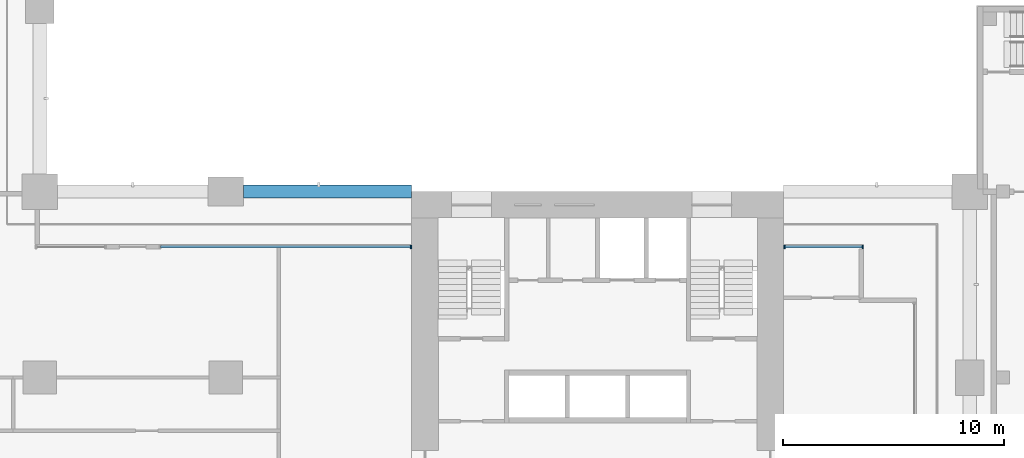
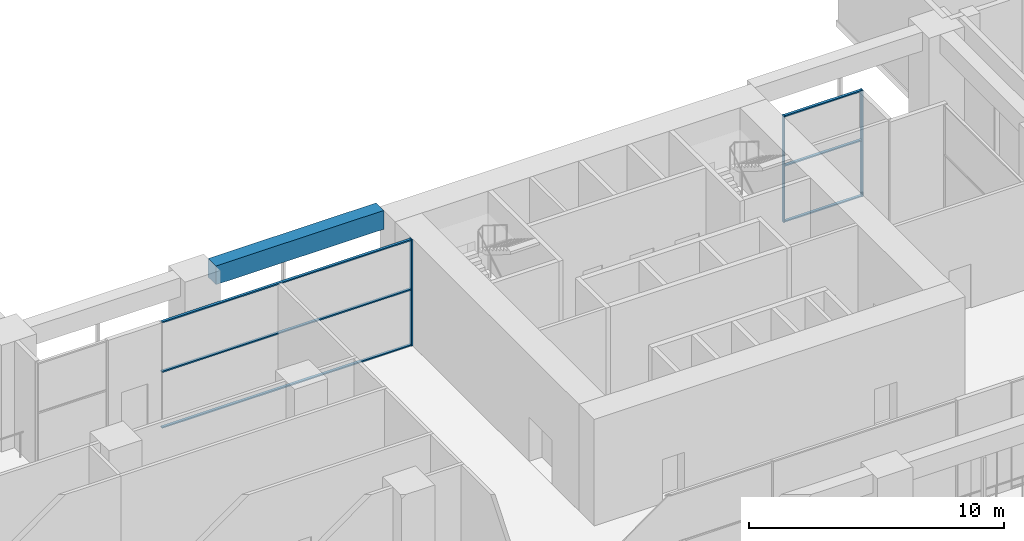
# One storey, part 8 of 33: 9 members, 1 beam, 2 elements without a shape of their own.
"""IFC4 building model written with IfcOpenShell, lengths in metres."""

import ifcopenshell
import ifcopenshell.guid

model = None  # the IFC model being written
_history = None  # IfcOwnerHistory: only IFC2X3 demands one
_inside = {}  # id of a spatial element -> (the spatial element, [elements in it])
_under = {}  # id of a project, library or spatial element -> (it, [spatial elements below it])
_declared = {}  # id of a project -> (the project, [libraries it declares])
_typed = {}  # id of a type object -> (the type object, [elements of that type])
_made_of = {}  # id of a material, layer set ... -> (it, [elements and type objects made of it])


def new_model(schema):
    """Start an empty IFC model of exactly this schema.

    Asked for "IFC4X3", IfcOpenShell would pick the latest addendum, in which some entities
    have other attributes; the version numbers below select the first issue.
    IFC2X3 requires an IfcOwnerHistory on every rooted entity: one is made here for all.
    """
    global model, _history
    if schema == "IFC4X3":
        model = ifcopenshell.file(schema_version=(4, 3, 0, 0))
    else:
        model = ifcopenshell.file(schema=schema)
    _inside.clear()
    _under.clear()
    _declared.clear()
    _typed.clear()
    _made_of.clear()
    _history = None
    if model.schema == "IFC2X3":
        org = make("IfcOrganization", Name="unknown")
        user = make(
            "IfcPersonAndOrganization",
            ThePerson=make("IfcPerson", FamilyName="unknown"),
            TheOrganization=org,
        )
        app = make(
            "IfcApplication",
            ApplicationDeveloper=org,
            Version="unknown",
            ApplicationFullName="unknown",
            ApplicationIdentifier="unknown",
        )
        _history = make(
            "IfcOwnerHistory",
            OwningUser=user,
            OwningApplication=app,
            ChangeAction="ADDED",
            CreationDate=0,
        )
    return model


def make(cls, **values):
    """One entity of the class cls with the attributes given. An attribute that is None is left unset."""
    return model.create_entity(
        cls, **{name: value for name, value in values.items() if value is not None}
    )


def rooted(cls, **values):
    """An entity with a GlobalId (a new one), such as an element, a storey or a relation."""
    return make(cls, GlobalId=ifcopenshell.guid.new(), OwnerHistory=_history, **values)


def si_unit(unit_type, name, prefix=None):
    """IfcSIUnit, for example si_unit("LENGTHUNIT", "METRE", prefix="MILLI")."""
    return make("IfcSIUnit", UnitType=unit_type, Prefix=prefix, Name=name)


def assignment(units):
    """IfcUnitAssignment: the units of a project."""
    return None if units is None else make("IfcUnitAssignment", Units=units)


def point(xyz):
    """IfcCartesianPoint."""
    return None if xyz is None else make("IfcCartesianPoint", Coordinates=xyz)


def direction(xyz):
    """IfcDirection."""
    return None if xyz is None else make("IfcDirection", DirectionRatios=xyz)


def frame(location, z_axis=None, x_axis=None):
    """IfcAxis2Placement3D, a coordinate frame: its origin and axes. An axis left out is left unset."""
    return make(
        "IfcAxis2Placement3D",
        Location=point(location),
        Axis=direction(z_axis),
        RefDirection=direction(x_axis),
    )


def frame_2d(location, x_axis=None):
    """IfcAxis2Placement2D, a coordinate frame in the plane: its origin and x axis."""
    return make(
        "IfcAxis2Placement2D", Location=point(location), RefDirection=direction(x_axis)
    )


def origin():
    """The frame at (0, 0, 0) with its axes left unset."""
    return frame((0.0, 0.0, 0.0))


def origin_2d():
    """The frame at (0, 0) in the plane with its x axis left unset."""
    return frame_2d((0.0, 0.0))


def place(relative_to, where):
    """IfcLocalPlacement: puts the frame where relative to a parent placement (None: the world)."""
    return make(
        "IfcLocalPlacement", PlacementRelTo=relative_to, RelativePlacement=where
    )


def context(
    kind, dimensions, precision=None, world=None, true_north=None, identifier=None
):
    """IfcGeometricRepresentationContext, for example the 3D "Model" context."""
    return make(
        "IfcGeometricRepresentationContext",
        ContextIdentifier=identifier,
        ContextType=kind,
        CoordinateSpaceDimension=dimensions,
        Precision=precision,
        WorldCoordinateSystem=world,
        TrueNorth=true_north,
    )


def subcontext(parent, identifier, kind, view, scale=None):
    """IfcGeometricRepresentationSubContext, for example "Body" below "Model"."""
    return make(
        "IfcGeometricRepresentationSubContext",
        ContextIdentifier=identifier,
        ContextType=kind,
        ParentContext=parent,
        TargetScale=scale,
        TargetView=view,
    )


def project(units=None, contexts=None):
    """IfcProject with its units and contexts."""
    return rooted(
        "IfcProject",
        Name="project",
        RepresentationContexts=contexts,
        UnitsInContext=assignment(units),
    )


def spatial(cls, under=None, at=None, **own):
    """A site, building, storey or space (cls), placed at a placement, below another one or the project."""
    s = rooted(cls, ObjectPlacement=at, **own)
    if under is not None:
        _under.setdefault(under.id(), (under, []))[1].append(s)
    return s


def profile(cls, at=None, kind="AREA", **sizes):
    """A parametric profile (cls). Its sizes go by their IFC names, for example OverallWidth=200.0."""
    return make(cls, ProfileType=kind, Position=at, **sizes)


def rectangle(**sizes):
    """IfcRectangleProfileDef."""
    return profile("IfcRectangleProfileDef", **sizes)


def extrude(swept, where, along, depth):
    """IfcExtrudedAreaSolid: the profile swept, set in the frame where, extruded along a direction by depth."""
    return make(
        "IfcExtrudedAreaSolid",
        SweptArea=swept,
        Position=where,
        ExtrudedDirection=direction(along),
        Depth=depth,
    )


def shape(context_of_items, identifier, shape_type, items):
    """IfcShapeRepresentation: the items that make up one representation, for example the "Body"."""
    return make(
        "IfcShapeRepresentation",
        ContextOfItems=context_of_items,
        RepresentationIdentifier=identifier,
        RepresentationType=shape_type,
        Items=items,
    )


def material(Name=None, Category=None):
    """IfcMaterial."""
    return make("IfcMaterial", Name=Name, Category=Category)


def material_profile(
    of_material, cross_section, Name=None, Category=None, Priority=None
):
    """IfcMaterialProfile: a cross section and its material."""
    return make(
        "IfcMaterialProfile",
        Name=Name,
        Material=of_material,
        Profile=cross_section,
        Priority=Priority,
        Category=Category,
    )


def profile_set(profiles, Name=None, composite=None):
    """IfcMaterialProfileSet."""
    return make(
        "IfcMaterialProfileSet",
        Name=Name,
        MaterialProfiles=profiles,
        CompositeProfile=composite,
    )


def made_of(thing, what):
    """Note that an element or type object is made of a material, layer set ...; save() writes the relation."""
    if what is not None:
        _made_of.setdefault(what.id(), (what, []))[1].append(thing)
    return thing


def type_object(cls, material=None, **own):
    """A type object (cls), such as IfcWallType, which elements share."""
    return made_of(rooted(cls, **own), material)


def element(
    cls,
    number,
    at=None,
    inside=None,
    cuts=None,
    type_object=None,
    material=None,
    context=None,
    identifier="Body",
    shape_type=None,
    held_by="IfcProductDefinitionShape",
    body=None,
    shapes=None,
    **own,
):
    """One element of the class cls, such as IfcWall. Its Tag is "e" and its number.

    at: its placement. inside: the storey or other place that contains it. cuts: it is an
    opening in that element (IfcRelVoidsElement). A single representation is given by context,
    identifier, shape_type and body (its items); several are given by shapes. held_by: the class
    of the entity that holds the representations. save() writes the other relations.
    """
    e = rooted(cls, Tag="e%d" % number, ObjectPlacement=at, **own)
    if body is not None:
        shapes = [shape(context, identifier, shape_type, body)]
    if shapes is not None:
        e.Representation = make(held_by, Representations=shapes)
    if inside is not None:
        _inside.setdefault(inside.id(), (inside, []))[1].append(e)
    if cuts is not None:
        rooted(
            "IfcRelVoidsElement", RelatingBuildingElement=cuts, RelatedOpeningElement=e
        )
    if type_object is not None:
        _typed.setdefault(type_object.id(), (type_object, []))[1].append(e)
    return made_of(e, material)


def aggregate(whole, parts):
    """IfcRelAggregates: a whole, such as a stair, and the parts it consists of."""
    return rooted("IfcRelAggregates", RelatingObject=whole, RelatedObjects=parts)


def save(model, path):
    """Write the relations noted so far, then the file.

    IfcRelAggregates (storeys below a building ...), IfcRelContainedInSpatialStructure (elements
    in a storey), IfcRelDefinesByType, IfcRelAssociatesMaterial and IfcRelDeclares: one each for
    every whole, place, type object, material and project.
    """
    for whole, parts in _under.values():
        aggregate(whole, parts)
    for where, things in _inside.values():
        rooted(
            "IfcRelContainedInSpatialStructure",
            RelatedElements=things,
            RelatingStructure=where,
        )
    for kind, things in _typed.values():
        rooted("IfcRelDefinesByType", RelatedObjects=things, RelatingType=kind)
    for what, things in _made_of.values():
        rooted("IfcRelAssociatesMaterial", RelatedObjects=things, RelatingMaterial=what)
    for by, libraries in _declared.values():
        rooted("IfcRelDeclares", RelatingContext=by, RelatedDefinitions=libraries)
    model.write(path)


model = new_model("IFC4")

# Units and contexts
model_context = context("Model", 3, precision=1e-05, world=origin(), true_north=direction((0.0, 1.0)))
body_context = subcontext(model_context, "Body", "Model", "MODEL_VIEW")
ifc_project = project(units=[si_unit("LENGTHUNIT", "METRE"), si_unit("AREAUNIT", "SQUARE_METRE"), si_unit("VOLUMEUNIT", "CUBIC_METRE"), si_unit("PLANEANGLEUNIT", "RADIAN"), si_unit("MASSUNIT", "GRAM", prefix="KILO")], contexts=[model_context])

# Site, building, storey
site_placement = place(None, origin())
site = spatial("IfcSite", under=ifc_project, at=site_placement, CompositionType="ELEMENT")
building_placement = place(site_placement, origin())
building = spatial("IfcBuilding", under=site, at=building_placement, Name="Vermilion Gate Residences", CompositionType="ELEMENT")
storey_placement = place(building_placement, frame((0.0, 0.0, 14.39990234375)))
storey = spatial("IfcBuildingStorey", under=building, at=storey_placement, Name="L02", CompositionType="ELEMENT", Elevation=14.39990234375)

# Curtain wall, members
ifc_material_1 = material(Name="Aluminium and glass", Category="aluminium")
curtain_wall_type = type_object("IfcCurtainWallType", Name="AMENITY GLAZING CURTAIN WALL", PredefinedType="NOTDEFINED", material=ifc_material_1)
curtain_wall_1_placement = place(storey_placement, origin())
curtain_wall_1 = element("IfcCurtainWall", 1, at=curtain_wall_1_placement, inside=storey, type_object=curtain_wall_type, Name="Amenity Glazing 120", PredefinedType="NOTDEFINED")
ifc_material_2 = material(Name="Aluminium", Category="aluminium")
ifc_material_profile_1 = material_profile(ifc_material_2, rectangle(XDim=0.159912109375, YDim=0.06005859375, at=origin_2d()), Name="MULLION 60 X 160")
ifc_profile_set_1 = profile_set([ifc_material_profile_1], Name="Aluminium")
member_type_1 = type_object("IfcMemberType", Name="AMENITY GLAZING MULLION 60 X 160", PredefinedType="MULLION", material=ifc_profile_set_1)
member_1_placement = place(storey_placement, frame((62.3701171875, 22.699951171875, 0.0), z_axis=(0.0, 0.0, 1.0), x_axis=(0.0, -1.0, 0.0)))
member_1 = element("IfcMember", 2, at=member_1_placement, type_object=member_type_1, Name="ECW2 mullion 1", PredefinedType="MULLION", context=body_context, shape_type="SweptSolid", body=[
    extrude(rectangle(XDim=0.159912109375, YDim=0.06005859375, at=origin_2d()), origin(), (0.0, 0.0, 1.0), 5.10009765625),
])
member_2_placement = place(storey_placement, frame((58.830078125, 22.699951171875, 0.0), z_axis=(0.0, 0.0, 1.0), x_axis=(0.0, -1.0, 0.0)))
member_2 = element("IfcMember", 3, at=member_2_placement, type_object=member_type_1, Name="ECW2 mullion 2", PredefinedType="MULLION", context=body_context, shape_type="SweptSolid", body=[
    extrude(rectangle(XDim=0.159912109375, YDim=0.06005859375, at=origin_2d()), origin(), (0.0, 0.0, 1.0), 5.10009765625),
])

# Curtain wall, member
curtain_wall_2_placement = place(storey_placement, origin())
curtain_wall_2 = element("IfcCurtainWall", 4, at=curtain_wall_2_placement, inside=storey, type_object=curtain_wall_type, Name="Amenity Glazing 130", PredefinedType="NOTDEFINED")
member_3_placement = place(storey_placement, frame((41.969970703125, 22.699951171875, 0.0), z_axis=(0.0, 0.0, 1.0), x_axis=(0.0, -1.0, 0.0)))
member_3 = element("IfcMember", 5, at=member_3_placement, type_object=member_type_1, Name="ECW2 mullion 1", PredefinedType="MULLION", context=body_context, shape_type="SweptSolid", body=[
    extrude(rectangle(XDim=0.159912109375, YDim=0.06005859375, at=origin_2d()), origin(), (0.0, 0.0, 1.0), 5.10009765625),
])

# Member
ifc_material_3 = material(Name="Aluminium", Category="aluminium")
ifc_material_profile_2 = material_profile(ifc_material_3, rectangle(XDim=0.1201171875, YDim=0.06005859375, at=origin_2d()), Name="TRANSOM 60 X 120")
ifc_profile_set_2 = profile_set([ifc_material_profile_2], Name="Aluminium")
member_type_2 = type_object("IfcMemberType", Name="AMENITY GLAZING TRANSOM 60 X 120", PredefinedType="MULLION", material=ifc_profile_set_2)
member_4_placement = place(storey_placement, frame((62.340087890625, 22.699951171875, 0.030029296875), z_axis=(-1.0, 0.0, 0.0), x_axis=(0.0, -1.0, 0.0)))
member_4 = element("IfcMember", 6, at=member_4_placement, type_object=member_type_2, Name="ECW2 transom 1.1", PredefinedType="MULLION", context=body_context, shape_type="SweptSolid", body=[
    extrude(rectangle(XDim=0.1201171875, YDim=0.06005859375, at=origin_2d()), origin(), (0.0, 0.0, 1.0), 3.47998046875),
])

member_5_placement = place(storey_placement, frame((62.340087890625, 22.699951171875, 2.7001953125), z_axis=(-1.0, 0.0, 0.0), x_axis=(0.0, -1.0, 0.0)))
member_5 = element("IfcMember", 7, at=member_5_placement, type_object=member_type_2, Name="ECW2 transom 1.2", PredefinedType="MULLION", context=body_context, shape_type="SweptSolid", body=[
    extrude(rectangle(XDim=0.1201171875, YDim=0.06005859375, at=origin_2d()), origin(), (0.0, 0.0, 1.0), 3.47998046875),
])

member_6_placement = place(storey_placement, frame((62.340087890625, 22.699951171875, 5.070068359375), z_axis=(-1.0, 0.0, 0.0), x_axis=(0.0, -1.0, 0.0)))
member_6 = element("IfcMember", 8, at=member_6_placement, type_object=member_type_2, Name="ECW2 transom 1.3", PredefinedType="MULLION", context=body_context, shape_type="SweptSolid", body=[
    extrude(rectangle(XDim=0.1201171875, YDim=0.06005859375, at=origin_2d()), origin(), (0.0, 0.0, 1.0), 3.47998046875),
])

aggregate(curtain_wall_1, [member_1, member_2, member_4, member_5, member_6])

member_7_placement = place(storey_placement, frame((41.93994140625, 22.699951171875, 0.030029296875), z_axis=(-1.0, 0.0, 0.0), x_axis=(0.0, -1.0, 0.0)))
member_7 = element("IfcMember", 9, at=member_7_placement, type_object=member_type_2, Name="ECW2 transom 1.1", PredefinedType="MULLION", context=body_context, shape_type="SweptSolid", body=[
    extrude(rectangle(XDim=0.1201171875, YDim=0.06005859375, at=origin_2d()), origin(), (0.0, 0.0, 1.0), 11.280029296875),
])

member_8_placement = place(storey_placement, frame((41.93994140625, 22.699951171875, 2.7001953125), z_axis=(-1.0, 0.0, 0.0), x_axis=(0.0, -1.0, 0.0)))
member_8 = element("IfcMember", 10, at=member_8_placement, type_object=member_type_2, Name="ECW2 transom 1.2", PredefinedType="MULLION", context=body_context, shape_type="SweptSolid", body=[
    extrude(rectangle(XDim=0.1201171875, YDim=0.06005859375, at=origin_2d()), origin(), (0.0, 0.0, 1.0), 11.280029296875),
])

member_9_placement = place(storey_placement, frame((41.93994140625, 22.699951171875, 5.070068359375), z_axis=(-1.0, 0.0, 0.0), x_axis=(0.0, -1.0, 0.0)))
member_9 = element("IfcMember", 11, at=member_9_placement, type_object=member_type_2, Name="ECW2 transom 1.3", PredefinedType="MULLION", context=body_context, shape_type="SweptSolid", body=[
    extrude(rectangle(XDim=0.1201171875, YDim=0.06005859375, at=origin_2d()), origin(), (0.0, 0.0, 1.0), 11.280029296875),
])

aggregate(curtain_wall_2, [member_3, member_7, member_8, member_9])

# Beam
ifc_material_4 = material(Name="Concrete C60 red-oxide pigmented", Category="concrete")
ifc_material_profile_3 = material_profile(ifc_material_4, rectangle(XDim=0.60009765625, YDim=0.89990234375, at=origin_2d()), Name="RC-600x900")
ifc_profile_set_3 = profile_set([ifc_material_profile_3], Name="Concrete C60 red-oxide pigmented")
beam_type = type_object("IfcBeamType", Name="RC EDGE BEAM 600 X 900 C60", PredefinedType="BEAM", material=ifc_profile_set_3)
beam_placement = place(storey_placement, frame((34.39990234375, 25.199951171875, 4.650146484375), z_axis=(1.0, 0.0, 0.0), x_axis=(0.0, 1.0, 0.0)))
element("IfcBeam", 12, at=beam_placement, inside=storey, type_object=beam_type, Name="Edge beam L02 17", PredefinedType="BEAM", context=body_context, shape_type="SweptSolid", body=[
    extrude(rectangle(XDim=0.60009765625, YDim=0.89990234375, at=origin_2d()), origin(), (0.0, 0.0, 1.0), 7.60009765625),
])

save(model, "model.ifc")
